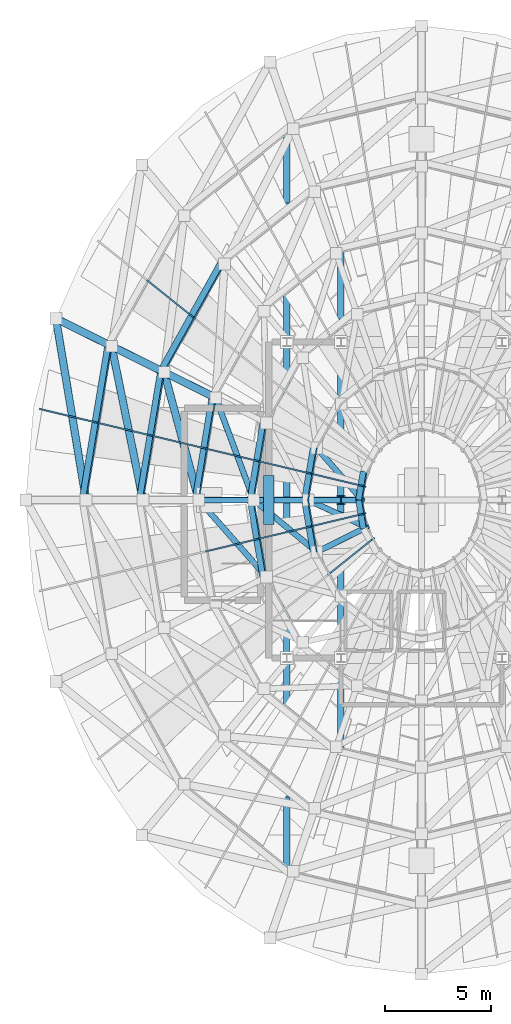
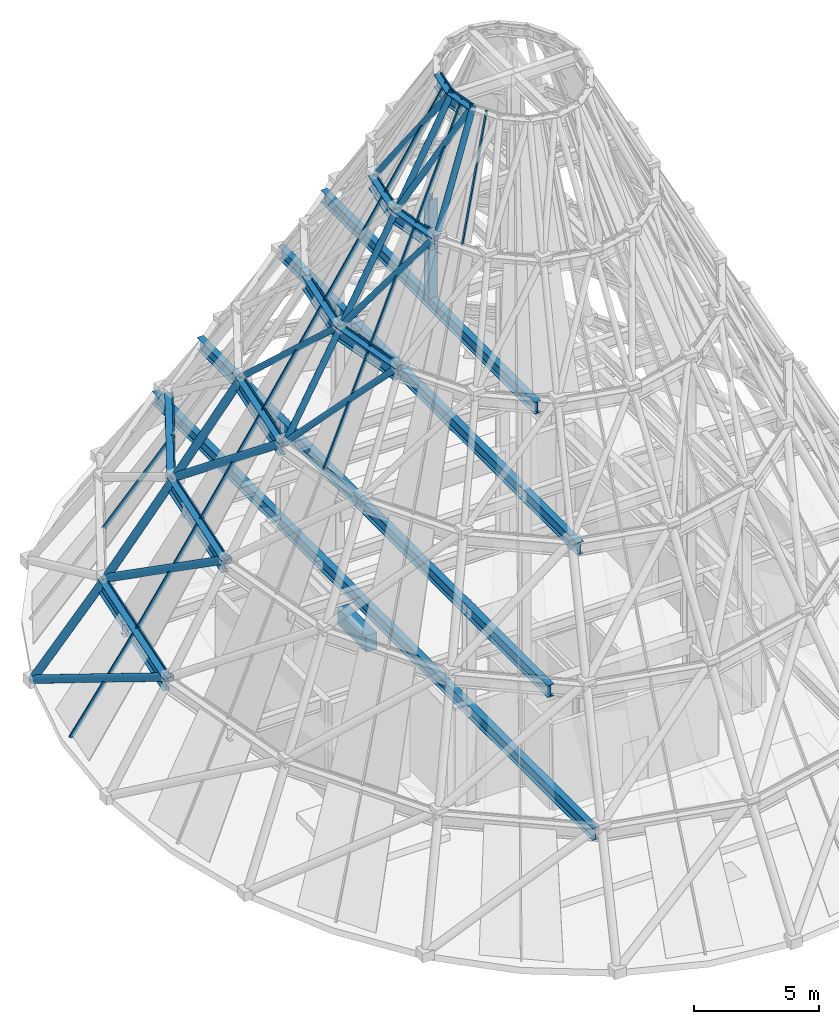
# One storey, part 4 of 16: 37 members, 15 beams, 6 elements without a shape of their own.
"""IFC4 building model written with IfcOpenShell, lengths in metres."""

from ifc_helpers import new_model, si_unit, direction, frame, origin, origin_2d, place, context, subcontext, project, spatial, rectangle, hollow_rectangle, hollow_circle, i_section, extrude, material, layer, layer_set, material_profile, profile_set, type_object, element, aggregate, save


model = new_model("IFC4")

# Units and contexts
model_context = context("Model", 3, precision=1e-05, world=origin(), true_north=direction((0.0, 1.0)))
body_context = subcontext(model_context, "Body", "Model", "MODEL_VIEW")
ifc_project = project(units=[si_unit("LENGTHUNIT", "METRE"), si_unit("AREAUNIT", "SQUARE_METRE"), si_unit("VOLUMEUNIT", "CUBIC_METRE"), si_unit("PLANEANGLEUNIT", "RADIAN"), si_unit("MASSUNIT", "GRAM", prefix="KILO")], contexts=[model_context])

# Site, building, storey
site_placement = place(None, origin())
site = spatial("IfcSite", under=ifc_project, at=site_placement, CompositionType="ELEMENT")
building_placement = place(site_placement, origin())
building = spatial("IfcBuilding", under=site, at=building_placement, Name="Veldorina Hangang Commons", CompositionType="ELEMENT")
storey_placement = place(building_placement, frame((0.0, 0.0, 308.39990234375)))
storey = spatial("IfcBuildingStorey", under=building, at=storey_placement, Name="Crown", CompositionType="ELEMENT", Elevation=308.39990234375)

# Beams
ifc_material_1 = material(Name="Concrete C50/60", Category="concrete")
ifc_material_profile_1 = material_profile(ifc_material_1, rectangle(XDim=0.5, YDim=0.800048828125, at=origin_2d()), Name="RC-CB-500x800")
ifc_profile_set_1 = profile_set([ifc_material_profile_1], Name="Concrete C50/60")
beam_type_1 = type_object("IfcBeamType", Name="BM-CB800", PredefinedType="LINTEL", material=ifc_profile_set_1)
beam_1_placement = place(storey_placement, frame((24.800048828125, 22.85009765625, 4.16015625), z_axis=(0.0, 1.0, 0.0), x_axis=(-1.0, 0.0, 0.0)))
element("IfcBeam", 1, at=beam_1_placement, inside=storey, type_object=beam_type_1, Name="Crown W core coupling lintel beam", PredefinedType="LINTEL", context=body_context, shape_type="SweptSolid", body=[
    extrude(rectangle(XDim=0.5, YDim=0.800048828125, at=origin_2d()), origin(), (0.0, 0.0, 1.0), 2.2998046875),
])
ifc_material_2 = material(Name="Steel SM460-TMC", Category="steel")
ifc_material_profile_2 = material_profile(ifc_material_2, i_section(OverallWidth=0.300048828125, OverallDepth=0.587890625, WebThickness=0.011962890625, FlangeThickness=0.02001953125, FilletRadius=0.01806640625, at=origin_2d()), Name="H-588x300x12x20")
ifc_profile_set_2 = profile_set([ifc_material_profile_2], Name="Steel SM460-TMC")
beam_type_2 = type_object("IfcBeamType", Name="BM-FG588", PredefinedType="BEAM", material=ifc_profile_set_2)
beam_2_placement = place(storey_placement, frame((25.64990234375, 6.414794921875, 4.5), z_axis=(0.0, 1.0, 0.0), x_axis=(-1.0, 0.0, 0.0)))
element("IfcBeam", 2, at=beam_2_placement, inside=storey, type_object=beam_type_2, Name="Crown tier 1 W grillage tie beam", PredefinedType="BEAM", context=body_context, shape_type="SweptSolid", body=[
    extrude(i_section(OverallWidth=0.300048828125, OverallDepth=0.587890625, WebThickness=0.011962890625, FlangeThickness=0.02001953125, FilletRadius=0.01806640625, at=origin_2d()), origin(), (0.0, 0.0, 1.0), 35.17041015625),
])
beam_3_placement = place(storey_placement, frame((17.22802734375, 31.332763671875, 4.5), z_axis=(-0.163733169397, -0.986504662553, 0.0), x_axis=(0.986504662553, -0.163733169397, 0.0)))
element("IfcBeam", 3, at=beam_3_placement, inside=storey, type_object=beam_type_2, Name="Crown tier 1 ring beam 07", PredefinedType="BEAM", context=body_context, shape_type="SweptSolid", body=[
    extrude(i_section(OverallWidth=0.300048828125, OverallDepth=0.587890625, WebThickness=0.011962890625, FlangeThickness=0.02001953125, FilletRadius=0.01806640625, at=origin_2d()), origin(), (0.0, 0.0, 1.0), 7.43310546875),
])
beam_4_placement = place(storey_placement, frame((25.64990234375, 10.00048828125, 9.300048828125), z_axis=(0.0, 1.0, 0.0), x_axis=(-1.0, 0.0, 0.0)))
element("IfcBeam", 4, at=beam_4_placement, inside=storey, type_object=beam_type_2, Name="Crown tier 2 W grillage tie beam", PredefinedType="BEAM", context=body_context, shape_type="SweptSolid", body=[
    extrude(i_section(OverallWidth=0.300048828125, OverallDepth=0.587890625, WebThickness=0.011962890625, FlangeThickness=0.02001953125, FilletRadius=0.01806640625, at=origin_2d()), origin(), (0.0, 0.0, 1.0), 27.9990234375),
])
beam_5_placement = place(storey_placement, frame((22.59814453125, 35.26708984375, 9.300048828125), z_axis=(-0.486955766168, -0.873426632177, 0.0), x_axis=(0.873426632177, -0.486955766168, 0.0)))
element("IfcBeam", 5, at=beam_5_placement, inside=storey, type_object=beam_type_2, Name="Crown tier 2 ring beam 06", PredefinedType="BEAM", context=body_context, shape_type="SweptSolid", body=[
    extrude(i_section(OverallWidth=0.300048828125, OverallDepth=0.587890625, WebThickness=0.011962890625, FlangeThickness=0.02001953125, FilletRadius=0.01806640625, at=origin_2d()), origin(), (0.0, 0.0, 1.0), 5.91845703125),
])
beam_6_placement = place(storey_placement, frame((19.716064453125, 30.09765625, 9.300048828125), z_axis=(-0.163758445565, -0.986500467058, 0.0), x_axis=(0.986500467058, -0.163758445565, 0.0)))
element("IfcBeam", 6, at=beam_6_placement, inside=storey, type_object=beam_type_2, Name="Crown tier 2 ring beam 07", PredefinedType="BEAM", context=body_context, shape_type="SweptSolid", body=[
    extrude(i_section(OverallWidth=0.300048828125, OverallDepth=0.587890625, WebThickness=0.011962890625, FlangeThickness=0.02001953125, FilletRadius=0.01806640625, at=origin_2d()), origin(), (0.0, 0.0, 1.0), 6.18115234375),
])
beam_7_placement = place(storey_placement, frame((28.199951171875, 12.057861328125, 14.10009765625), z_axis=(0.0, 1.0, 0.0), x_axis=(-1.0, 0.0, 0.0)))
element("IfcBeam", 7, at=beam_7_placement, inside=storey, type_object=beam_type_2, Name="Crown tier 3 W inner grillage beam", PredefinedType="BEAM", context=body_context, shape_type="SweptSolid", body=[
    extrude(i_section(OverallWidth=0.300048828125, OverallDepth=0.587890625, WebThickness=0.011962890625, FlangeThickness=0.02001953125, FilletRadius=0.01806640625, at=origin_2d()), origin(), (0.0, 0.0, 1.0), 23.88427734375),
])
beam_8_placement = place(storey_placement, frame((22.146728515625, 28.89111328125, 14.10009765625), z_axis=(-0.163728199347, -0.986505487435, 0.0), x_axis=(0.986505487435, -0.163728199347, 0.0)))
element("IfcBeam", 8, at=beam_8_placement, inside=storey, type_object=beam_type_2, Name="Crown tier 3 ring beam 07", PredefinedType="BEAM", context=body_context, shape_type="SweptSolid", body=[
    extrude(i_section(OverallWidth=0.300048828125, OverallDepth=0.587890625, WebThickness=0.011962890625, FlangeThickness=0.02001953125, FilletRadius=0.01806640625, at=origin_2d()), origin(), (0.0, 0.0, 1.0), 4.9580078125),
])
beam_9_placement = place(storey_placement, frame((28.199951171875, 15.467041015625, 18.900146484375), z_axis=(0.0, 1.0, 0.0), x_axis=(-1.0, 0.0, 0.0)))
element("IfcBeam", 9, at=beam_9_placement, inside=storey, type_object=beam_type_2, Name="Crown tier 4 W inner grillage beam", PredefinedType="BEAM", context=body_context, shape_type="SweptSolid", body=[
    extrude(i_section(OverallWidth=0.300048828125, OverallDepth=0.587890625, WebThickness=0.011962890625, FlangeThickness=0.02001953125, FilletRadius=0.01806640625, at=origin_2d()), origin(), (0.0, 0.0, 1.0), 17.06591796875),
])
for number, where, z_axis, x_axis, name in (
    (10, (24.54345703125, 27.701416015625, 18.900146484375), (-0.163713087297, -0.98650799543, 0.0), (0.98650799543, -0.163713087297, 0.0), "Crown tier 4 ring beam 07"),
    (11, (23.92919921875, 24.0, 18.900146484375), (0.163713087297, -0.98650799543, 0.0), (0.98650799543, 0.163713087297, 0.0), "Crown tier 4 ring beam 08"),
):
    element("IfcBeam", number, at=place(storey_placement, frame(where, z_axis=z_axis, x_axis=x_axis)), inside=storey, type_object=beam_type_2, Name=name, PredefinedType="BEAM", context=body_context, shape_type="SweptSolid", body=[
        extrude(i_section(OverallWidth=0.300048828125, OverallDepth=0.587890625, WebThickness=0.011962890625, FlangeThickness=0.02001953125, FilletRadius=0.01806640625, at=origin_2d()), origin(), (0.0, 0.0, 1.0), 3.751953125),
    ])
for number, where, z_axis, x_axis, name in (
    (12, (26.91552734375, 26.523681640625, 23.7001953125), (-0.163764447307, -0.986499470754, 0.0), (0.986499470754, -0.163764447307, 0.0), "Crown tier 5 ring beam 07"),
    (13, (26.49658203125, 24.0, 23.7001953125), (0.163764447307, -0.986499470754, 0.0), (0.986499470754, 0.163764447307, 0.0), "Crown tier 5 ring beam 08"),
):
    element("IfcBeam", number, at=place(storey_placement, frame(where, z_axis=z_axis, x_axis=x_axis)), inside=storey, type_object=beam_type_2, Name=name, PredefinedType="BEAM", context=body_context, shape_type="SweptSolid", body=[
        extrude(i_section(OverallWidth=0.300048828125, OverallDepth=0.587890625, WebThickness=0.011962890625, FlangeThickness=0.02001953125, FilletRadius=0.01806640625, at=origin_2d()), origin(), (0.0, 0.0, 1.0), 2.55810546875),
    ])
for number, where, z_axis, x_axis, name in (
    (14, (29.268310546875, 25.35595703125, 28.5), (-0.16359241985, -0.986528012865, 0.0), (0.986528012865, -0.16359241985, 0.0), "Crown tier 6 ring beam 07"),
    (15, (29.04345703125, 24.0, 28.5), (0.16359241985, -0.986528012865, 0.0), (0.986528012865, 0.16359241985, 0.0), "Crown tier 6 ring beam 08"),
):
    element("IfcBeam", number, at=place(storey_placement, frame(where, z_axis=z_axis, x_axis=x_axis)), inside=storey, type_object=beam_type_2, Name=name, PredefinedType="BEAM", context=body_context, shape_type="SweptSolid", body=[
        extrude(i_section(OverallWidth=0.300048828125, OverallDepth=0.587890625, WebThickness=0.011962890625, FlangeThickness=0.02001953125, FilletRadius=0.01806640625, at=origin_2d()), origin(), (0.0, 0.0, 1.0), 1.37451171875),
    ])

# Members
ifc_material_profile_3 = material_profile(ifc_material_2, i_section(OverallWidth=0.39990234375, OverallDepth=0.39990234375, WebThickness=0.012939453125, FlangeThickness=0.02099609375, FilletRadius=0.01806640625, at=origin_2d()), Name="H-400x400x13x21")
ifc_profile_set_3 = profile_set([ifc_material_profile_3], Name="Steel SM460-TMC")
member_type_1 = type_object("IfcMemberType", Name="CRN-POST-H400", PredefinedType="BRACE", material=ifc_profile_set_3)
member_1_placement = place(storey_placement, frame((28.199951171875, 24.0, 18.900146484375), z_axis=(0.0, 0.0, 1.0), x_axis=(1.0, 0.0, 0.0)))
element("IfcMember", 16, at=member_1_placement, inside=storey, type_object=member_type_1, Name="Crown tier 5 spire post W", PredefinedType="BRACE", context=body_context, shape_type="SweptSolid", body=[
    extrude(i_section(OverallWidth=0.39990234375, OverallDepth=0.39990234375, WebThickness=0.012939453125, FlangeThickness=0.02099609375, FilletRadius=0.01806640625, at=origin_2d()), origin(), (0.0, 0.0, 1.0), 5.099853515625),
])
ifc_material_3 = material(Name="Steel SM355-TMC", Category="steel")
ifc_material_profile_4 = material_profile(ifc_material_3, hollow_circle(Radius=0.136474609375, WallThickness=0.011962890625, at=origin_2d()), Name="CHS-273.0x12")
ifc_profile_set_4 = profile_set([ifc_material_profile_4], Name="Steel SM355-TMC")
member_type_2 = type_object("IfcMemberType", Name="CRN-RIB273", PredefinedType="BRACE", material=ifc_profile_set_4)
member_2_placement = place(storey_placement, frame((22.29833984375, 28.81591796875, 14.400146484375), z_axis=(0.254942280712, -0.684868776976, 0.6826120361), x_axis=(0.93717381349, 0.348862785788, 0.0)))
element("IfcMember", 17, at=member_2_placement, inside=storey, type_object=member_type_2, Name="Crown tier 4 CROWN FRAME diagrid brace 07", PredefinedType="BRACE", context=body_context, shape_type="SweptSolid", body=[
    extrude(hollow_circle(Radius=0.136474609375, WallThickness=0.011962890625, at=origin_2d()), origin(), (0.0, 0.0, 1.0), 7.031982421875),
])
member_3_placement = place(storey_placement, frame((21.4990234375, 24.0, 14.400146484375), z_axis=(0.475150993727, 0.0, 0.879904274998), x_axis=(0.0, 1.0, 0.0)))
element("IfcMember", 18, at=member_3_placement, inside=storey, type_object=member_type_2, Name="Crown tier 4 CROWN FRAME meridian rib 08", PredefinedType="BRACE", context=body_context, shape_type="SweptSolid", body=[
    extrude(hollow_circle(Radius=0.136474609375, WallThickness=0.011962890625, at=origin_2d()), origin(), (0.0, 0.0, 1.0), 5.455078125),
])
member_4_placement = place(storey_placement, frame((21.4990234375, 24.0, 14.400146484375), z_axis=(0.468921554688, -0.532469511309, 0.704690566898), x_axis=(0.750469949179, 0.66090457358, 0.0)))
element("IfcMember", 19, at=member_4_placement, inside=storey, type_object=member_type_2, Name="Crown tier 4 CROWN FRAME diagrid brace 08", PredefinedType="BRACE", context=body_context, shape_type="SweptSolid", body=[
    extrude(hollow_circle(Radius=0.136474609375, WallThickness=0.011962890625, at=origin_2d()), origin(), (0.0, 0.0, 1.0), 6.8115234375),
])
member_5_placement = place(storey_placement, frame((24.091064453125, 24.0, 19.2001953125), z_axis=(0.471449456036, 0.0, 0.881893083318), x_axis=(0.0, 1.0, 0.0)))
element("IfcMember", 20, at=member_5_placement, inside=storey, type_object=member_type_2, Name="Crown tier 5 CROWN FRAME meridian rib 08", PredefinedType="BRACE", context=body_context, shape_type="SweptSolid", body=[
    extrude(hollow_circle(Radius=0.136474609375, WallThickness=0.011962890625, at=origin_2d()), origin(), (0.0, 0.0, 1.0), 5.442626953125),
])
member_6_placement = place(storey_placement, frame((24.091064453125, 24.0, 19.2001953125), z_axis=(0.483002789883, -0.398112352108, 0.779881311523), x_axis=(0.636035963491, 0.771659415252, 0.0)))
element("IfcMember", 21, at=member_6_placement, inside=storey, type_object=member_type_2, Name="Crown tier 5 CROWN FRAME diagrid brace 08", PredefinedType="BRACE", context=body_context, shape_type="SweptSolid", body=[
    extrude(hollow_circle(Radius=0.136474609375, WallThickness=0.011962890625, at=origin_2d()), origin(), (0.0, 0.0, 1.0), 6.154541015625),
])
member_7_placement = place(storey_placement, frame((27.063720703125, 26.4501953125, 24.0), z_axis=(0.368858023271, -0.422586657711, 0.827867305426), x_axis=(0.753375972268, 0.657590027608, 0.0)))
element("IfcMember", 22, at=member_7_placement, inside=storey, type_object=member_type_2, Name="Crown tier 6 CROWN FRAME diagrid brace 07", PredefinedType="BRACE", context=body_context, shape_type="SweptSolid", body=[
    extrude(hollow_circle(Radius=0.136474609375, WallThickness=0.011962890625, at=origin_2d()), origin(), (0.0, 0.0, 1.0), 5.798095703125),
])
member_8_placement = place(storey_placement, frame((26.656982421875, 24.0, 24.0), z_axis=(0.468492533363, 0.0, 0.883467456211), x_axis=(0.0, 1.0, 0.0)))
element("IfcMember", 23, at=member_8_placement, inside=storey, type_object=member_type_2, Name="Crown tier 6 CROWN FRAME meridian rib 08", PredefinedType="BRACE", context=body_context, shape_type="SweptSolid", body=[
    extrude(hollow_circle(Radius=0.136474609375, WallThickness=0.011962890625, at=origin_2d()), origin(), (0.0, 0.0, 1.0), 5.43310546875),
])
member_9_placement = place(storey_placement, frame((26.656982421875, 24.0, 24.0), z_axis=(0.485373608509, -0.225760162216, 0.844656622137), x_axis=(0.421738421892, 0.906717543395, 0.0)))
element("IfcMember", 24, at=member_9_placement, inside=storey, type_object=member_type_2, Name="Crown tier 6 CROWN FRAME diagrid brace 08", PredefinedType="BRACE", context=body_context, shape_type="SweptSolid", body=[
    extrude(hollow_circle(Radius=0.136474609375, WallThickness=0.011962890625, at=origin_2d()), origin(), (0.0, 0.0, 1.0), 5.682861328125),
])
member_10_placement = place(storey_placement, frame((27.063720703125, 21.5498046875, 24.0), z_axis=(0.429816591841, 0.213346462374, 0.877348838474), x_axis=(-0.444607847719, 0.895725327177, 0.0)))
element("IfcMember", 25, at=member_10_placement, inside=storey, type_object=member_type_2, Name="Crown tier 6 CROWN FRAME meridian rib 09", PredefinedType="BRACE", context=body_context, shape_type="SweptSolid", body=[
    extrude(hollow_circle(Radius=0.136474609375, WallThickness=0.011962890625, at=origin_2d()), origin(), (0.0, 0.0, 1.0), 5.47119140625),
])
ifc_material_profile_5 = material_profile(ifc_material_3, hollow_circle(Radius=0.177734375, WallThickness=0.01611328125, at=origin_2d()), Name="CHS-355.6x16")
ifc_profile_set_5 = profile_set([ifc_material_profile_5], Name="Steel SM355-TMC")
member_type_3 = type_object("IfcMemberType", Name="CRN-RIB355", PredefinedType="BRACE", material=ifc_profile_set_5)
member_11_placement = place(storey_placement, frame((14.76953125, 32.552978515625, 0.0), z_axis=(0.46643736726, -0.231525232008, 0.853716726653), x_axis=(0.444610084266, 0.895724217027, 0.0)))
element("IfcMember", 26, at=member_11_placement, inside=storey, type_object=member_type_3, Name="Crown tier 1 CROWN FRAME meridian rib 07", PredefinedType="BRACE", context=body_context, shape_type="SweptSolid", body=[
    extrude(hollow_circle(Radius=0.177734375, WallThickness=0.01611328125, at=origin_2d()), origin(), (0.0, 0.0, 1.0), 5.62255859375),
])
member_12_placement = place(storey_placement, frame((14.76953125, 32.552978515625, 0.0), z_axis=(0.143183751361, -0.863068885314, 0.484366093517), x_axis=(0.986516182276, 0.163663747078, 0.0)))
element("IfcMember", 27, at=member_12_placement, inside=storey, type_object=member_type_3, Name="Crown tier 1 CROWN FRAME diagrid brace 07", PredefinedType="BRACE", context=body_context, shape_type="SweptSolid", body=[
    extrude(hollow_circle(Radius=0.177734375, WallThickness=0.01611328125, at=origin_2d()), origin(), (0.0, 0.0, 1.0), 9.909912109375),
])
member_13_placement = place(storey_placement, frame((17.39208984375, 31.251220703125, 4.800048828125), z_axis=(0.447377291638, -0.222080325998, 0.866333589174), x_axis=(0.444635676807, 0.895711513218, 0.0)))
element("IfcMember", 28, at=member_13_placement, inside=storey, type_object=member_type_3, Name="Crown tier 2 CROWN FRAME meridian rib 07", PredefinedType="BRACE", context=body_context, shape_type="SweptSolid", body=[
    extrude(hollow_circle(Radius=0.177734375, WallThickness=0.01611328125, at=origin_2d()), origin(), (0.0, 0.0, 1.0), 5.54052734375),
])
member_14_placement = place(storey_placement, frame((17.39208984375, 31.251220703125, 4.800048828125), z_axis=(0.167724372344, -0.822043165512, 0.544163182288), x_axis=(0.979813291029, 0.199914768649, 0.0)))
element("IfcMember", 29, at=member_14_placement, inside=storey, type_object=member_type_3, Name="Crown tier 2 CROWN FRAME diagrid brace 07", PredefinedType="BRACE", context=body_context, shape_type="SweptSolid", body=[
    extrude(hollow_circle(Radius=0.177734375, WallThickness=0.01611328125, at=origin_2d()), origin(), (0.0, 0.0, 1.0), 8.821044921875),
])
member_15_placement = place(storey_placement, frame((19.870849609375, 30.020751953125, 9.60009765625), z_axis=(0.440381719039, -0.21857425158, 0.870798046669), x_axis=(0.444581110507, 0.89573859813, 0.0)))
element("IfcMember", 30, at=member_15_placement, inside=storey, type_object=member_type_3, Name="Crown tier 3 CROWN FRAME meridian rib 07", PredefinedType="BRACE", context=body_context, shape_type="SweptSolid", body=[
    extrude(hollow_circle(Radius=0.177734375, WallThickness=0.01611328125, at=origin_2d()), origin(), (0.0, 0.0, 1.0), 5.51220703125),
])
member_16_placement = place(storey_placement, frame((19.870849609375, 30.020751953125, 9.60009765625), z_axis=(0.206876952004, -0.765001126612, 0.609897698809), x_axis=(0.965325278148, 0.261050009325, 0.0)))
element("IfcMember", 31, at=member_16_placement, inside=storey, type_object=member_type_3, Name="Crown tier 3 CROWN FRAME diagrid brace 07", PredefinedType="BRACE", context=body_context, shape_type="SweptSolid", body=[
    extrude(hollow_circle(Radius=0.177734375, WallThickness=0.01611328125, at=origin_2d()), origin(), (0.0, 0.0, 1.0), 7.870361328125),
])

# Curtain wall, member
ifc_material_4 = material(Name="Glass Low-Iron Laminated", Category="glass")
ifc_layer = layer(ifc_material_4, 0.179931640625)
ifc_layer_set = layer_set([ifc_layer], Name="Glass Low-Iron Laminated")
curtain_wall_type = type_object("IfcCurtainWallType", Name="CW-SYS-CRN", PredefinedType="NOTDEFINED", material=ifc_layer_set)
curtain_wall_1_placement = place(storey_placement, origin())
curtain_wall_1 = element("IfcCurtainWall", 32, at=curtain_wall_1_placement, inside=storey, type_object=curtain_wall_type, Name="Crown glass-point sloped pyramidal curtain wall tier 1", PredefinedType="NOTDEFINED")
ifc_material_5 = material(Name="Aluminium Anodized AA6063-T6", Category="aluminium")
ifc_material_profile_6 = material_profile(ifc_material_5, hollow_rectangle(XDim=0.070068359375, YDim=0.179931640625, WallThickness=0.00390625, at=origin_2d()), Name="ALU-RHS-180x70x4")
ifc_profile_set_6 = profile_set([ifc_material_profile_6], Name="Aluminium Anodized AA6063-T6")
member_type_4 = type_object("IfcMemberType", Name="CW-MUL-180", PredefinedType="MULLION", material=ifc_profile_set_6)
member_17_placement = place(storey_placement, frame((14.059814453125, 28.276611328125, 0.0), z_axis=(0.491044075663, -0.117053246219, 0.86323476141), x_axis=(0.231879208722, 0.972744587527, 0.0)))
member_17 = element("IfcMember", 33, at=member_17_placement, type_object=member_type_4, Name="CW-CRN-T1 sloped mid-facet mullion 8", PredefinedType="MULLION", context=body_context, shape_type="SweptSolid", body=[
    extrude(hollow_rectangle(XDim=0.070068359375, YDim=0.179931640625, WallThickness=0.00390625, at=origin_2d()), origin(), (0.0, 0.0, 1.0), 5.560546875),
])

# Curtain wall, members
curtain_wall_2_placement = place(storey_placement, origin())
curtain_wall_2 = element("IfcCurtainWall", 34, at=curtain_wall_2_placement, inside=storey, type_object=curtain_wall_type, Name="Crown glass-point sloped pyramidal curtain wall tier 2", PredefinedType="NOTDEFINED")
member_18_placement = place(storey_placement, frame((19.105712890625, 34.324951171875, 4.800048828125), z_axis=(0.39362812705, -0.315183601842, 0.863548605884), x_axis=(0.625034893689, 0.78059681121, 0.0)))
member_18 = element("IfcMember", 35, at=member_18_placement, type_object=member_type_4, Name="CW-CRN-T2 sloped mid-facet mullion 7", PredefinedType="MULLION", context=body_context, shape_type="SweptSolid", body=[
    extrude(hollow_rectangle(XDim=0.070068359375, YDim=0.179931640625, WallThickness=0.00390625, at=origin_2d()), origin(), (0.0, 0.0, 1.0), 5.55859375),
])
member_19_placement = place(storey_placement, frame((16.790283203125, 27.625732421875, 4.800048828125), z_axis=(0.470565786828, -0.112177256911, 0.875205177829), x_axis=(0.231890061584, 0.972742000398, 0.0)))
member_19 = element("IfcMember", 36, at=member_19_placement, type_object=member_type_4, Name="CW-CRN-T2 sloped mid-facet mullion 8", PredefinedType="MULLION", context=body_context, shape_type="SweptSolid", body=[
    extrude(hollow_rectangle(XDim=0.070068359375, YDim=0.179931640625, WallThickness=0.00390625, at=origin_2d()), origin(), (0.0, 0.0, 1.0), 5.484375),
])

# Curtain wall, member
curtain_wall_3_placement = place(storey_placement, origin())
curtain_wall_3 = element("IfcCurtainWall", 37, at=curtain_wall_3_placement, inside=storey, type_object=curtain_wall_type, Name="Crown glass-point sloped pyramidal curtain wall tier 3", PredefinedType="NOTDEFINED")
member_20_placement = place(storey_placement, frame((19.37109375, 27.010498046875, 9.60009765625), z_axis=(0.463078708905, -0.110391022272, 0.879415676208), x_axis=(0.231887269366, 0.972742666025, 0.0)))
member_20 = element("IfcMember", 38, at=member_20_placement, type_object=member_type_4, Name="CW-CRN-T3 sloped mid-facet mullion 8", PredefinedType="MULLION", context=body_context, shape_type="SweptSolid", body=[
    extrude(hollow_rectangle(XDim=0.070068359375, YDim=0.179931640625, WallThickness=0.00390625, at=origin_2d()), origin(), (0.0, 0.0, 1.0), 5.458251953125),
])

# Curtain wall, members
curtain_wall_4_placement = place(storey_placement, origin())
curtain_wall_4 = element("IfcCurtainWall", 39, at=curtain_wall_4_placement, inside=storey, type_object=curtain_wall_type, Name="Crown glass-point sloped pyramidal curtain wall tier 4", PredefinedType="NOTDEFINED")
member_21_placement = place(storey_placement, frame((21.898681640625, 26.407958984375, 14.400146484375), z_axis=(0.458212699142, -0.109247813807, 0.882103189839), x_axis=(0.231920966436, 0.972734632532, 0.0)))
member_21 = element("IfcMember", 40, at=member_21_placement, type_object=member_type_4, Name="CW-CRN-T4 sloped mid-facet mullion 8", PredefinedType="MULLION", context=body_context, shape_type="SweptSolid", body=[
    extrude(hollow_rectangle(XDim=0.070068359375, YDim=0.179931640625, WallThickness=0.00390625, at=origin_2d()), origin(), (0.0, 0.0, 1.0), 5.441650390625),
])
member_22_placement = place(storey_placement, frame((21.898681640625, 21.592041015625, 14.400146484375), z_axis=(0.458212699142, 0.109247813807, 0.882103189839), x_axis=(-0.231920966436, 0.972734632532, 0.0)))
member_22 = element("IfcMember", 41, at=member_22_placement, type_object=member_type_4, Name="CW-CRN-T4 sloped mid-facet mullion 9", PredefinedType="MULLION", context=body_context, shape_type="SweptSolid", body=[
    extrude(hollow_rectangle(XDim=0.070068359375, YDim=0.179931640625, WallThickness=0.00390625, at=origin_2d()), origin(), (0.0, 0.0, 1.0), 5.441650390625),
])

curtain_wall_5_placement = place(storey_placement, origin())
curtain_wall_5 = element("IfcCurtainWall", 42, at=curtain_wall_5_placement, inside=storey, type_object=curtain_wall_type, Name="Crown glass-point sloped pyramidal curtain wall tier 5", PredefinedType="NOTDEFINED")
member_23_placement = place(storey_placement, frame((24.39208984375, 25.8134765625, 19.2001953125), z_axis=(0.454659597995, -0.108370055501, 0.88404783865), x_axis=(0.231858973426, 0.972749410918, 0.0)))
member_23 = element("IfcMember", 43, at=member_23_placement, type_object=member_type_4, Name="CW-CRN-T5 sloped mid-facet mullion 8", PredefinedType="MULLION", context=body_context, shape_type="SweptSolid", body=[
    extrude(hollow_rectangle(XDim=0.070068359375, YDim=0.179931640625, WallThickness=0.00390625, at=origin_2d()), origin(), (0.0, 0.0, 1.0), 5.429443359375),
])
member_24_placement = place(storey_placement, frame((24.39208984375, 22.1865234375, 19.2001953125), z_axis=(0.454659597995, 0.108370055501, 0.88404783865), x_axis=(-0.231858973426, 0.972749410918, 0.0)))
member_24 = element("IfcMember", 44, at=member_24_placement, type_object=member_type_4, Name="CW-CRN-T5 sloped mid-facet mullion 9", PredefinedType="MULLION", context=body_context, shape_type="SweptSolid", body=[
    extrude(hollow_rectangle(XDim=0.070068359375, YDim=0.179931640625, WallThickness=0.00390625, at=origin_2d()), origin(), (0.0, 0.0, 1.0), 5.429443359375),
])

curtain_wall_6_placement = place(storey_placement, origin())
curtain_wall_6 = element("IfcCurtainWall", 45, at=curtain_wall_6_placement, inside=storey, type_object=curtain_wall_type, Name="Crown glass-point sloped pyramidal curtain wall tier 6", PredefinedType="NOTDEFINED")
member_25_placement = place(storey_placement, frame((26.860595703125, 25.22509765625, 24.0), z_axis=(0.45175096233, -0.107701321261, 0.88561927115), x_axis=(0.231908996873, 0.972737486257, 0.0)))
member_25 = element("IfcMember", 46, at=member_25_placement, type_object=member_type_4, Name="CW-CRN-T6 sloped mid-facet mullion 8", PredefinedType="MULLION", context=body_context, shape_type="SweptSolid", body=[
    extrude(hollow_rectangle(XDim=0.070068359375, YDim=0.179931640625, WallThickness=0.00390625, at=origin_2d()), origin(), (0.0, 0.0, 1.0), 5.419921875),
])
member_26_placement = place(storey_placement, frame((26.860595703125, 22.77490234375, 24.0), z_axis=(0.45175096233, 0.107701321261, 0.88561927115), x_axis=(-0.231908996873, 0.972737486257, 0.0)))
member_26 = element("IfcMember", 47, at=member_26_placement, type_object=member_type_4, Name="CW-CRN-T6 sloped mid-facet mullion 9", PredefinedType="MULLION", context=body_context, shape_type="SweptSolid", body=[
    extrude(hollow_rectangle(XDim=0.070068359375, YDim=0.179931640625, WallThickness=0.00390625, at=origin_2d()), origin(), (0.0, 0.0, 1.0), 5.419921875),
])
member_27_placement = place(storey_placement, frame((27.642822265625, 20.510986328125, 24.0), z_axis=(0.378301834712, 0.302890613986, 0.874725670032), x_axis=(-0.625008477722, 0.780617962114, 0.0)))
member_27 = element("IfcMember", 48, at=member_27_placement, type_object=member_type_4, Name="CW-CRN-T6 sloped mid-facet mullion 10", PredefinedType="MULLION", context=body_context, shape_type="SweptSolid", body=[
    extrude(hollow_rectangle(XDim=0.070068359375, YDim=0.179931640625, WallThickness=0.00390625, at=origin_2d()), origin(), (0.0, 0.0, 1.0), 5.487548828125),
])

# Member
ifc_material_profile_7 = material_profile(ifc_material_5, hollow_rectangle(XDim=0.06005859375, YDim=0.139892578125, WallThickness=0.00341796875, at=origin_2d()), Name="ALU-RHS-140x60x3.5")
ifc_profile_set_7 = profile_set([ifc_material_profile_7], Name="Aluminium Anodized AA6063-T6")
member_type_5 = type_object("IfcMemberType", Name="CW-TRN-140", PredefinedType="USERDEFINED", material=ifc_profile_set_7)
member_28_placement = place(storey_placement, frame((17.39208984375, 31.251220703125, 4.800048828125), z_axis=(-0.163747230085, -0.986502328755, 0.0), x_axis=(0.986502328755, -0.163747230085, 0.0)))
member_28 = element("IfcMember", 49, at=member_28_placement, type_object=member_type_5, Name="CW-CRN-T1 horizontal ring transom 8", ObjectType="TRANSOM", PredefinedType="USERDEFINED", context=body_context, shape_type="SweptSolid", body=[
    extrude(hollow_rectangle(XDim=0.06005859375, YDim=0.139892578125, WallThickness=0.00341796875, at=origin_2d()), origin(), (0.0, 0.0, 1.0), 7.350341796875),
])

aggregate(curtain_wall_1, [member_17, member_28])

member_29_placement = place(storey_placement, frame((22.716796875, 35.125, 9.60009765625), z_axis=(-0.486983133901, -0.873411373464, 0.0), x_axis=(0.873411373464, -0.486983133901, 0.0)))
member_29 = element("IfcMember", 50, at=member_29_placement, type_object=member_type_5, Name="CW-CRN-T2 horizontal ring transom 7", ObjectType="TRANSOM", PredefinedType="USERDEFINED", context=body_context, shape_type="SweptSolid", body=[
    extrude(hollow_rectangle(XDim=0.06005859375, YDim=0.139892578125, WallThickness=0.00341796875, at=origin_2d()), origin(), (0.0, 0.0, 1.0), 5.843994140625),
])

member_30_placement = place(storey_placement, frame((19.870849609375, 30.020751953125, 9.60009765625), z_axis=(-0.16373079742, -0.986505056235, 0.0), x_axis=(0.986505056235, -0.16373079742, 0.0)))
member_30 = element("IfcMember", 51, at=member_30_placement, type_object=member_type_5, Name="CW-CRN-T2 horizontal ring transom 8", ObjectType="TRANSOM", PredefinedType="USERDEFINED", context=body_context, shape_type="SweptSolid", body=[
    extrude(hollow_rectangle(XDim=0.06005859375, YDim=0.139892578125, WallThickness=0.00341796875, at=origin_2d()), origin(), (0.0, 0.0, 1.0), 6.10302734375),
])

aggregate(curtain_wall_2, [member_18, member_29, member_19, member_30])

member_31_placement = place(storey_placement, frame((22.29833984375, 28.81591796875, 14.400146484375), z_axis=(-0.163733947204, -0.986504533458, 0.0), x_axis=(0.986504533458, -0.163733947204, 0.0)))
member_31 = element("IfcMember", 52, at=member_31_placement, type_object=member_type_5, Name="CW-CRN-T3 horizontal ring transom 8", ObjectType="TRANSOM", PredefinedType="USERDEFINED", context=body_context, shape_type="SweptSolid", body=[
    extrude(hollow_rectangle(XDim=0.06005859375, YDim=0.139892578125, WallThickness=0.00341796875, at=origin_2d()), origin(), (0.0, 0.0, 1.0), 4.8818359375),
])

aggregate(curtain_wall_3, [member_20, member_31])

member_32_placement = place(storey_placement, frame((24.693115234375, 27.626953125, 19.2001953125), z_axis=(-0.163752856727, -0.986501394785, 0.0), x_axis=(0.986501394785, -0.163752856727, 0.0)))
member_32 = element("IfcMember", 53, at=member_32_placement, type_object=member_type_5, Name="CW-CRN-T4 horizontal ring transom 8", ObjectType="TRANSOM", PredefinedType="USERDEFINED", context=body_context, shape_type="SweptSolid", body=[
    extrude(hollow_rectangle(XDim=0.06005859375, YDim=0.139892578125, WallThickness=0.00341796875, at=origin_2d()), origin(), (0.0, 0.0, 1.0), 3.676513671875),
])

member_33_placement = place(storey_placement, frame((24.091064453125, 24.0, 19.2001953125), z_axis=(0.163752856727, -0.986501394785, 0.0), x_axis=(0.986501394785, 0.163752856727, 0.0)))
member_33 = element("IfcMember", 54, at=member_33_placement, type_object=member_type_5, Name="CW-CRN-T4 horizontal ring transom 9", ObjectType="TRANSOM", PredefinedType="USERDEFINED", context=body_context, shape_type="SweptSolid", body=[
    extrude(hollow_rectangle(XDim=0.06005859375, YDim=0.139892578125, WallThickness=0.00341796875, at=origin_2d()), origin(), (0.0, 0.0, 1.0), 3.676513671875),
])

aggregate(curtain_wall_4, [member_21, member_32, member_22, member_33])

member_34_placement = place(storey_placement, frame((27.063720703125, 26.4501953125, 24.0), z_axis=(-0.163761356427, -0.986499983853, 0.0), x_axis=(0.986499983853, -0.163761356427, 0.0)))
member_34 = element("IfcMember", 55, at=member_34_placement, type_object=member_type_5, Name="CW-CRN-T5 horizontal ring transom 8", ObjectType="TRANSOM", PredefinedType="USERDEFINED", context=body_context, shape_type="SweptSolid", body=[
    extrude(hollow_rectangle(XDim=0.06005859375, YDim=0.139892578125, WallThickness=0.00341796875, at=origin_2d()), origin(), (0.0, 0.0, 1.0), 2.483642578125),
])

member_35_placement = place(storey_placement, frame((26.656982421875, 24.0, 24.0), z_axis=(0.163761356427, -0.986499983853, 0.0), x_axis=(0.986499983853, 0.163761356427, 0.0)))
member_35 = element("IfcMember", 56, at=member_35_placement, type_object=member_type_5, Name="CW-CRN-T5 horizontal ring transom 9", ObjectType="TRANSOM", PredefinedType="USERDEFINED", context=body_context, shape_type="SweptSolid", body=[
    extrude(hollow_rectangle(XDim=0.06005859375, YDim=0.139892578125, WallThickness=0.00341796875, at=origin_2d()), origin(), (0.0, 0.0, 1.0), 2.483642578125),
])

aggregate(curtain_wall_5, [member_23, member_34, member_24, member_35])

member_36_placement = place(storey_placement, frame((29.415283203125, 25.282958984375, 28.800048828125), z_axis=(-0.163698771376, -0.986510371081, 0.0), x_axis=(0.986510371081, -0.163698771376, 0.0)))
member_36 = element("IfcMember", 57, at=member_36_placement, type_object=member_type_5, Name="CW-CRN-T6 horizontal ring transom 8", ObjectType="TRANSOM", PredefinedType="USERDEFINED", context=body_context, shape_type="SweptSolid", body=[
    extrude(hollow_rectangle(XDim=0.06005859375, YDim=0.139892578125, WallThickness=0.00341796875, at=origin_2d()), origin(), (0.0, 0.0, 1.0), 1.300537109375),
])

member_37_placement = place(storey_placement, frame((29.202392578125, 24.0, 28.800048828125), z_axis=(0.163698771376, -0.986510371081, 0.0), x_axis=(0.986510371081, 0.163698771376, 0.0)))
member_37 = element("IfcMember", 58, at=member_37_placement, type_object=member_type_5, Name="CW-CRN-T6 horizontal ring transom 9", ObjectType="TRANSOM", PredefinedType="USERDEFINED", context=body_context, shape_type="SweptSolid", body=[
    extrude(hollow_rectangle(XDim=0.06005859375, YDim=0.139892578125, WallThickness=0.00341796875, at=origin_2d()), origin(), (0.0, 0.0, 1.0), 1.300537109375),
])

aggregate(curtain_wall_6, [member_25, member_36, member_26, member_37, member_27])

save(model, "model.ifc")
